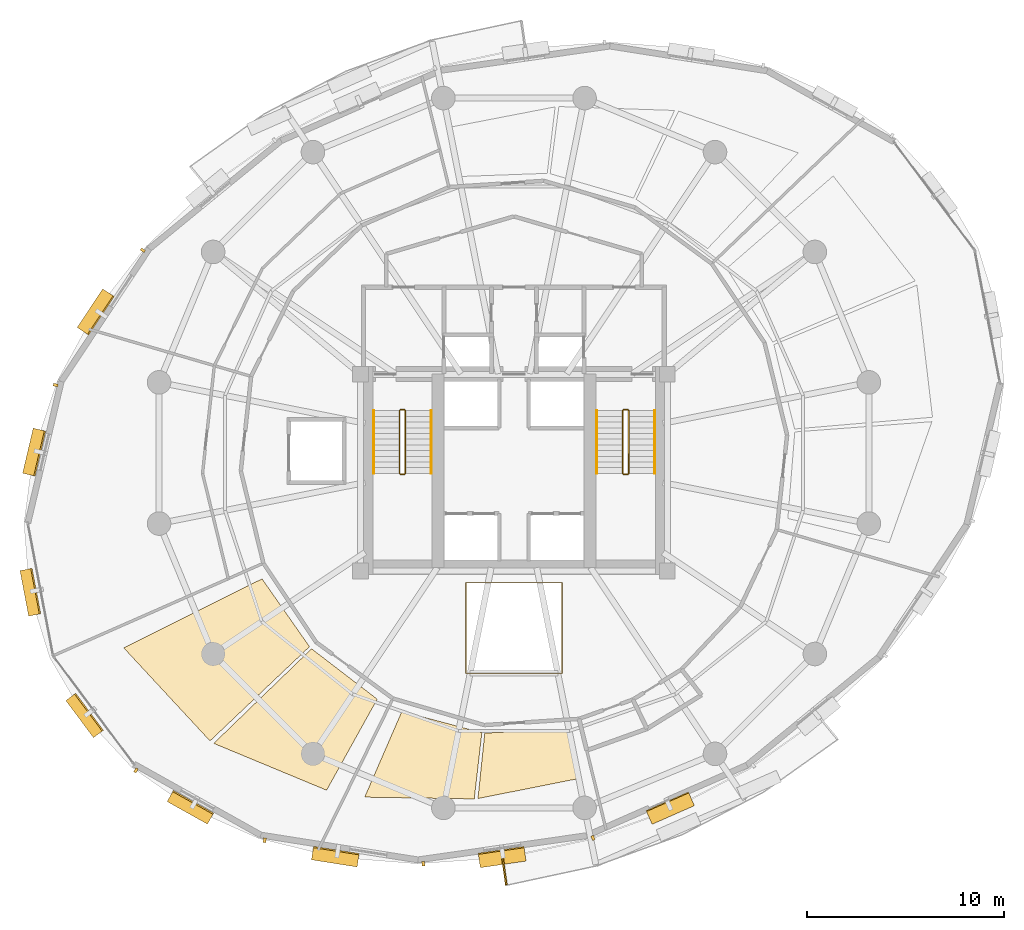
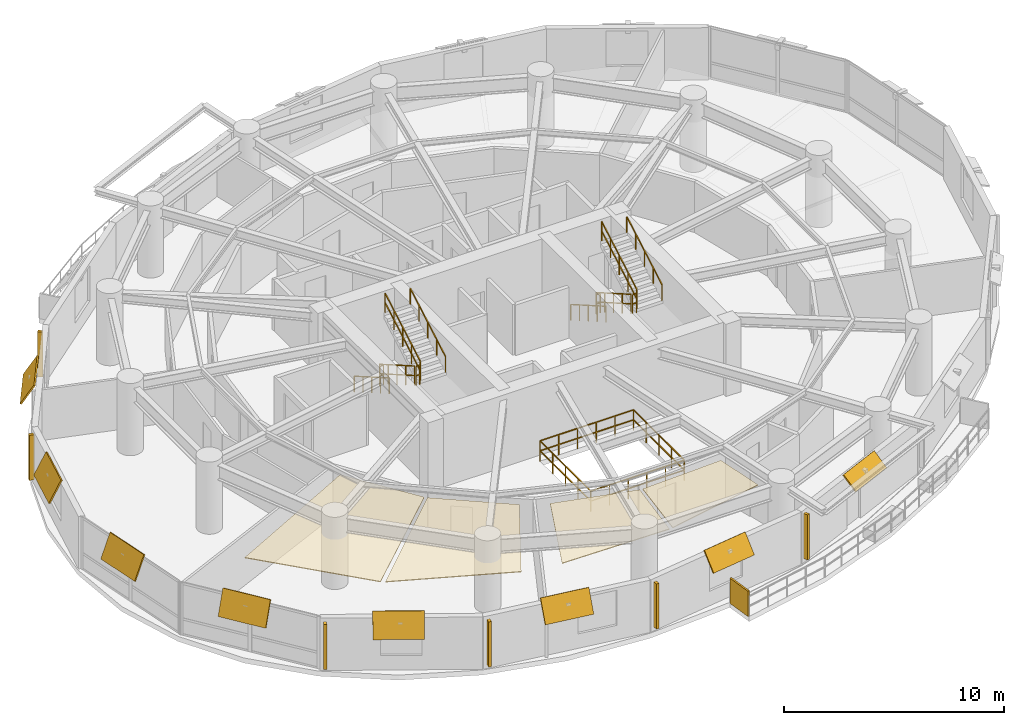
# One storey, part 13 of 14: 15 shading devices, 13 railings, 4 coverings.
"""IFC4 building model written with IfcOpenShell, lengths in metres."""

from ifc_helpers import new_model, si_unit, direction, frame, origin, origin_2d, place, context, subcontext, project, spatial, polyline, rectangle, outline, extrude, material, layer, layer_set, type_object, element, save


model = new_model("IFC4")

# Units and contexts
model_context = context("Model", 3, precision=1e-05, world=origin(), true_north=direction((0.0, 1.0)))
body_context = subcontext(model_context, "Body", "Model", "MODEL_VIEW")
ifc_project = project(units=[si_unit("LENGTHUNIT", "METRE"), si_unit("AREAUNIT", "SQUARE_METRE"), si_unit("VOLUMEUNIT", "CUBIC_METRE"), si_unit("PLANEANGLEUNIT", "RADIAN"), si_unit("MASSUNIT", "GRAM", prefix="KILO"), si_unit("THERMODYNAMICTEMPERATUREUNIT", "KELVIN"), si_unit("POWERUNIT", "WATT")], contexts=[model_context])

# Site, building, storey
site_placement = place(None, origin())
site = spatial("IfcSite", under=ifc_project, at=site_placement, CompositionType="ELEMENT")
building_placement = place(site_placement, origin())
building = spatial("IfcBuilding", under=site, at=building_placement, Name="Ocrelia Relay Tower", CompositionType="ELEMENT")
storey_placement = place(building_placement, frame((0.0, 0.0, 133.800048828125)))
storey = spatial("IfcBuildingStorey", under=building, at=storey_placement, Name="L31", CompositionType="ELEMENT", Elevation=133.800048828125)

# Coverings
ifc_material_1 = material(Name="Mineral-fiber acoustic ceiling tile", Category="gypsum")
ifc_layer_1 = layer(ifc_material_1, 0.0400390625, Name="Mineral-fiber acoustic ceiling tile")
ifc_layer_set_1 = layer_set([ifc_layer_1], Name="Mineral-fiber acoustic ceiling tile")
covering_type_1 = type_object("IfcCoveringType", Name="COV-CEIL-ACOUSTIC", PredefinedType="CEILING", material=ifc_layer_set_1)
covering_1_placement = place(storey_placement, frame((0.0, 0.0, 2.719970703125)))
element("IfcCovering", 1, at=covering_1_placement, inside=storey, type_object=covering_type_1, Name="L31 Carrier Operations Office Suspended Ceiling 1", PredefinedType="CEILING", context=body_context, shape_type="SweptSolid", body=[
    extrude(outline(polyline([(21.190185546875, 19.599365234375), (14.1591796875, 16.086181640625), (18.54296875, 11.357421875), (23.60400390625, 16.15185546875), (21.190185546875, 19.599365234375)])), origin(), (0.0, 0.0, 1.0), 0.0400390625),
])
covering_2_placement = place(storey_placement, frame((0.0, 0.0, 2.719970703125)))
element("IfcCovering", 2, at=covering_2_placement, inside=storey, type_object=covering_type_1, Name="L31 Carrier Operations Office Suspended Ceiling 2", PredefinedType="CEILING", context=body_context, shape_type="SweptSolid", body=[
    extrude(outline(polyline([(23.707763671875, 16.04345703125), (18.7333984375, 11.2314453125), (24.4736328125, 8.84912109375), (27.046630859375, 13.4814453125), (23.707763671875, 16.04345703125)])), origin(), (0.0, 0.0, 1.0), 0.0400390625),
])
ifc_material_2 = material(Name="Cleanroom metal-pan acoustic ceiling", Category="aluminium")
ifc_layer_2 = layer(ifc_material_2, 0.0400390625, Name="Cleanroom metal-pan acoustic ceiling")
ifc_layer_set_2 = layer_set([ifc_layer_2], Name="Cleanroom metal-pan acoustic ceiling")
covering_type_2 = type_object("IfcCoveringType", Name="COV-CEIL-CLEAN", PredefinedType="CEILING", material=ifc_layer_set_2)
covering_3_placement = place(storey_placement, frame((0.0, 0.0, 2.719970703125)))
element("IfcCovering", 3, at=covering_3_placement, inside=storey, type_object=covering_type_2, Name="L31 Optical Telemetry Studio Suspended Ceiling 1", PredefinedType="CEILING", context=body_context, shape_type="SweptSolid", body=[
    extrude(outline(polyline([(28.301513671875, 12.86279296875), (26.408203125, 8.498291015625), (31.980224609375, 8.40869140625), (32.366455078125, 11.7734375), (28.301513671875, 12.86279296875)])), origin(), (0.0, 0.0, 1.0), 0.0400390625),
])
covering_4_placement = place(storey_placement, frame((0.0, 0.0, 2.719970703125)))
element("IfcCovering", 4, at=covering_4_placement, inside=storey, type_object=covering_type_2, Name="L31 Optical Telemetry Studio Suspended Ceiling 2", PredefinedType="CEILING", context=body_context, shape_type="SweptSolid", body=[
    extrude(outline(polyline([(32.515625, 11.757080078125), (32.16845703125, 8.42724609375), (37.20654296875, 9.426513671875), (36.72021484375, 11.940673828125), (32.515625, 11.757080078125)])), origin(), (0.0, 0.0, 1.0), 0.0400390625),
])

# Railings
ifc_material_3 = material(Name="Steel S355 atrium balustrade", Category="steel")
railing_type_1 = type_object("IfcRailingType", Name="RL-INT-GUARD-115", PredefinedType="GUARDRAIL", material=ifc_material_3)
railing_1_placement = place(storey_placement, frame((31.550048828125, 14.800048828125, 0.0)))
element("IfcRailing", 5, at=railing_1_placement, inside=storey, type_object=railing_type_1, Name="L31 Multi-Zone Interior Atrium Guard", PredefinedType="GUARDRAIL", context=body_context, shape_type="SweptSolid", body=[
    extrude(rectangle(XDim=0.048095703125, YDim=0.048095703125, at=origin_2d()), frame((0.0, 0.0, 1.1259765625), z_axis=(1.0, 0.0, 0.0), x_axis=(0.0, 1.0, 0.0)), (0.0, 0.0, 1.0), 4.89990234375),
    extrude(rectangle(XDim=0.048095703125, YDim=0.048095703125, at=origin_2d()), frame((0.0, 0.0, 0.574951171875), z_axis=(1.0, 0.0, 0.0), x_axis=(0.0, 1.0, 0.0)), (0.0, 0.0, 1.0), 4.89990234375),
    extrude(rectangle(XDim=0.048095703125, YDim=0.048095703125, at=origin_2d()), frame((4.89990234375, 0.0, 1.1259765625), z_axis=(0.0, 1.0, 0.0), x_axis=(-1.0, 0.0, 0.0)), (0.0, 0.0, 1.0), 4.599853515625),
    extrude(rectangle(XDim=0.048095703125, YDim=0.048095703125, at=origin_2d()), frame((4.89990234375, 0.0, 0.574951171875), z_axis=(0.0, 1.0, 0.0), x_axis=(-1.0, 0.0, 0.0)), (0.0, 0.0, 1.0), 4.599853515625),
    extrude(rectangle(XDim=0.048095703125, YDim=0.048095703125, at=origin_2d()), frame((4.89990234375, 4.599853515625, 1.1259765625), z_axis=(-1.0, 0.0, 0.0), x_axis=(0.0, -1.0, 0.0)), (0.0, 0.0, 1.0), 4.89990234375),
    extrude(rectangle(XDim=0.048095703125, YDim=0.048095703125, at=origin_2d()), frame((4.89990234375, 4.599853515625, 0.574951171875), z_axis=(-1.0, 0.0, 0.0), x_axis=(0.0, -1.0, 0.0)), (0.0, 0.0, 1.0), 4.89990234375),
    extrude(rectangle(XDim=0.048095703125, YDim=0.048095703125, at=origin_2d()), frame((0.0, 4.599853515625, 1.1259765625), z_axis=(0.0, -1.0, 0.0), x_axis=(1.0, 0.0, 0.0)), (0.0, 0.0, 1.0), 4.599853515625),
    extrude(rectangle(XDim=0.048095703125, YDim=0.048095703125, at=origin_2d()), frame((0.0, 4.599853515625, 0.574951171875), z_axis=(0.0, -1.0, 0.0), x_axis=(1.0, 0.0, 0.0)), (0.0, 0.0, 1.0), 4.599853515625),
    extrude(rectangle(XDim=0.0419921875, YDim=0.0419921875, at=origin_2d()), origin(), (0.0, 0.0, 1.0), 1.101806640625),
    extrude(rectangle(XDim=0.0419921875, YDim=0.0419921875, at=origin_2d()), frame((0.97998046875, 0.0, 0.0)), (0.0, 0.0, 1.0), 1.101806640625),
    extrude(rectangle(XDim=0.0419921875, YDim=0.0419921875, at=origin_2d()), frame((1.9599609375, 0.0, 0.0)), (0.0, 0.0, 1.0), 1.101806640625),
    extrude(rectangle(XDim=0.0419921875, YDim=0.0419921875, at=origin_2d()), frame((2.93994140625, 0.0, 0.0)), (0.0, 0.0, 1.0), 1.101806640625),
    extrude(rectangle(XDim=0.0419921875, YDim=0.0419921875, at=origin_2d()), frame((3.919921875, 0.0, 0.0)), (0.0, 0.0, 1.0), 1.101806640625),
    extrude(rectangle(XDim=0.0419921875, YDim=0.0419921875, at=origin_2d()), frame((4.89990234375, 0.0, 0.0)), (0.0, 0.0, 1.0), 1.101806640625),
    extrude(rectangle(XDim=0.0419921875, YDim=0.0419921875, at=origin_2d()), frame((4.89990234375, 1.14990234375, 0.0)), (0.0, 0.0, 1.0), 1.101806640625),
    extrude(rectangle(XDim=0.0419921875, YDim=0.0419921875, at=origin_2d()), frame((4.89990234375, 2.2998046875, 0.0)), (0.0, 0.0, 1.0), 1.101806640625),
    extrude(rectangle(XDim=0.0419921875, YDim=0.0419921875, at=origin_2d()), frame((4.89990234375, 3.449951171875, 0.0)), (0.0, 0.0, 1.0), 1.101806640625),
    extrude(rectangle(XDim=0.0419921875, YDim=0.0419921875, at=origin_2d()), frame((4.89990234375, 4.599853515625, 0.0)), (0.0, 0.0, 1.0), 1.101806640625),
    extrude(rectangle(XDim=0.0419921875, YDim=0.0419921875, at=origin_2d()), frame((3.919921875, 4.599853515625, 0.0)), (0.0, 0.0, 1.0), 1.101806640625),
    extrude(rectangle(XDim=0.0419921875, YDim=0.0419921875, at=origin_2d()), frame((2.93994140625, 4.599853515625, 0.0)), (0.0, 0.0, 1.0), 1.101806640625),
    extrude(rectangle(XDim=0.0419921875, YDim=0.0419921875, at=origin_2d()), frame((1.9599609375, 4.599853515625, 0.0)), (0.0, 0.0, 1.0), 1.101806640625),
    extrude(rectangle(XDim=0.0419921875, YDim=0.0419921875, at=origin_2d()), frame((0.97998046875, 4.599853515625, 0.0)), (0.0, 0.0, 1.0), 1.101806640625),
    extrude(rectangle(XDim=0.0419921875, YDim=0.0419921875, at=origin_2d()), frame((0.0, 4.599853515625, 0.0)), (0.0, 0.0, 1.0), 1.101806640625),
    extrude(rectangle(XDim=0.0419921875, YDim=0.0419921875, at=origin_2d()), frame((0.0, 3.449951171875, 0.0)), (0.0, 0.0, 1.0), 1.101806640625),
    extrude(rectangle(XDim=0.0419921875, YDim=0.0419921875, at=origin_2d()), frame((0.0, 2.2998046875, 0.0)), (0.0, 0.0, 1.0), 1.101806640625),
    extrude(rectangle(XDim=0.0419921875, YDim=0.0419921875, at=origin_2d()), frame((0.0, 1.14990234375, 0.0)), (0.0, 0.0, 1.0), 1.101806640625),
])
ifc_material_4 = material(Name="Steel S355 balustrade", Category="steel")
railing_type_2 = type_object("IfcRailingType", Name="RL-STAIR-GUARD", PredefinedType="GUARDRAIL", material=ifc_material_4)
railing_2_placement = place(storey_placement, frame((28.179931640625, 28.14990234375, 0.16650390625)))
element("IfcRailing", 6, at=railing_2_placement, inside=storey, type_object=railing_type_2, Name="L31 ST1 stair guard 1", PredefinedType="GUARDRAIL", context=body_context, shape_type="SweptSolid", body=[
    extrude(rectangle(XDim=0.048095703125, YDim=0.048095703125, at=origin_2d()), frame((0.0, 0.0, 1.076171875), z_axis=(0.0, -0.86699087805, 0.498324008431), x_axis=(1.0, 0.0, 0.0)), (0.0, 0.0, 1.0), 3.679443359375),
    extrude(rectangle(XDim=0.048095703125, YDim=0.048095703125, at=origin_2d()), frame((0.0, 0.0, 0.550048828125), z_axis=(0.0, -0.86699087805, 0.498324008431), x_axis=(1.0, 0.0, 0.0)), (0.0, 0.0, 1.0), 3.679443359375),
    extrude(rectangle(XDim=0.0419921875, YDim=0.0419921875, at=origin_2d()), origin(), (0.0, 0.0, 1.0), 1.052001953125),
    extrude(rectangle(XDim=0.0419921875, YDim=0.0419921875, at=origin_2d()), frame((0.0, -0.79736328125, 0.45849609375)), (0.0, 0.0, 1.0), 1.052001953125),
    extrude(rectangle(XDim=0.0419921875, YDim=0.0419921875, at=origin_2d()), frame((0.0, -1.594970703125, 0.916748046875)), (0.0, 0.0, 1.0), 1.052001953125),
    extrude(rectangle(XDim=0.0419921875, YDim=0.0419921875, at=origin_2d()), frame((0.0, -2.392578125, 1.375)), (0.0, 0.0, 1.0), 1.052001953125),
    extrude(rectangle(XDim=0.0419921875, YDim=0.0419921875, at=origin_2d()), frame((0.0, -3.18994140625, 1.83349609375)), (0.0, 0.0, 1.0), 1.052001953125),
])
railing_3_placement = place(storey_placement, frame((28.22998046875, 24.909912109375, 2.0)))
element("IfcRailing", 7, at=railing_3_placement, inside=storey, type_object=railing_type_2, Name="L31 ST1 stair guard 2", PredefinedType="GUARDRAIL", context=body_context, shape_type="SweptSolid", body=[
    extrude(rectangle(XDim=0.048095703125, YDim=0.048095703125, at=origin_2d()), frame((0.0, 0.0, 1.076171875), z_axis=(1.0, 0.0, 0.0), x_axis=(0.0, 1.0, 0.0)), (0.0, 0.0, 1.0), 0.199951171875),
    extrude(rectangle(XDim=0.048095703125, YDim=0.048095703125, at=origin_2d()), frame((0.0, 0.0, 0.550048828125), z_axis=(1.0, 0.0, 0.0), x_axis=(0.0, 1.0, 0.0)), (0.0, 0.0, 1.0), 0.199951171875),
    extrude(rectangle(XDim=0.0419921875, YDim=0.0419921875, at=origin_2d()), origin(), (0.0, 0.0, 1.0), 1.052001953125),
    extrude(rectangle(XDim=0.0419921875, YDim=0.0419921875, at=origin_2d()), frame((0.199951171875, 0.0, 0.0)), (0.0, 0.0, 1.0), 1.052001953125),
])
railing_4_placement = place(storey_placement, frame((28.47998046875, 24.9599609375, 2.16650390625)))
element("IfcRailing", 8, at=railing_4_placement, inside=storey, type_object=railing_type_2, Name="L31 ST1 stair guard 3", PredefinedType="GUARDRAIL", context=body_context, shape_type="SweptSolid", body=[
    extrude(rectangle(XDim=0.048095703125, YDim=0.048095703125, at=origin_2d()), frame((0.0, 0.0, 1.076171875), z_axis=(0.0, 0.86699087805, 0.498324008431), x_axis=(-1.0, 0.0, 0.0)), (0.0, 0.0, 1.0), 3.679443359375),
    extrude(rectangle(XDim=0.048095703125, YDim=0.048095703125, at=origin_2d()), frame((0.0, 0.0, 0.550048828125), z_axis=(0.0, 0.86699087805, 0.498324008431), x_axis=(-1.0, 0.0, 0.0)), (0.0, 0.0, 1.0), 3.679443359375),
    extrude(rectangle(XDim=0.0419921875, YDim=0.0419921875, at=origin_2d()), origin(), (0.0, 0.0, 1.0), 1.052001953125),
    extrude(rectangle(XDim=0.0419921875, YDim=0.0419921875, at=origin_2d()), frame((0.0, 0.79736328125, 0.45849609375)), (0.0, 0.0, 1.0), 1.052001953125),
    extrude(rectangle(XDim=0.0419921875, YDim=0.0419921875, at=origin_2d()), frame((0.0, 1.594970703125, 0.916748046875)), (0.0, 0.0, 1.0), 1.052001953125),
    extrude(rectangle(XDim=0.0419921875, YDim=0.0419921875, at=origin_2d()), frame((0.0, 2.392578125, 1.375)), (0.0, 0.0, 1.0), 1.052001953125),
    extrude(rectangle(XDim=0.0419921875, YDim=0.0419921875, at=origin_2d()), frame((0.0, 3.18994140625, 1.83349609375)), (0.0, 0.0, 1.0), 1.052001953125),
])
railing_5_placement = place(storey_placement, frame((28.22998046875, 28.199951171875, 0.0)))
element("IfcRailing", 9, at=railing_5_placement, inside=storey, type_object=railing_type_2, Name="L31 ST1 stair guard 4", PredefinedType="GUARDRAIL", context=body_context, shape_type="SweptSolid", body=[
    extrude(rectangle(XDim=0.048095703125, YDim=0.048095703125, at=origin_2d()), frame((0.0, 0.0, 1.076171875), z_axis=(1.0, 0.0, 0.0), x_axis=(0.0, 1.0, 0.0)), (0.0, 0.0, 1.0), 0.199951171875),
    extrude(rectangle(XDim=0.048095703125, YDim=0.048095703125, at=origin_2d()), frame((0.0, 0.0, 0.550048828125), z_axis=(1.0, 0.0, 0.0), x_axis=(0.0, 1.0, 0.0)), (0.0, 0.0, 1.0), 0.199951171875),
    extrude(rectangle(XDim=0.0419921875, YDim=0.0419921875, at=origin_2d()), origin(), (0.0, 0.0, 1.0), 1.052001953125),
    extrude(rectangle(XDim=0.0419921875, YDim=0.0419921875, at=origin_2d()), frame((0.199951171875, 0.0, 0.0)), (0.0, 0.0, 1.0), 1.052001953125),
])
railing_6_placement = place(storey_placement, frame((39.530029296875, 28.14990234375, 0.16650390625)))
element("IfcRailing", 10, at=railing_6_placement, inside=storey, type_object=railing_type_2, Name="L31 ST2 stair guard 1", PredefinedType="GUARDRAIL", context=body_context, shape_type="SweptSolid", body=[
    extrude(rectangle(XDim=0.048095703125, YDim=0.048095703125, at=origin_2d()), frame((0.0, 0.0, 1.076171875), z_axis=(0.0, -0.86699087805, 0.498324008431), x_axis=(1.0, 0.0, 0.0)), (0.0, 0.0, 1.0), 3.679443359375),
    extrude(rectangle(XDim=0.048095703125, YDim=0.048095703125, at=origin_2d()), frame((0.0, 0.0, 0.550048828125), z_axis=(0.0, -0.86699087805, 0.498324008431), x_axis=(1.0, 0.0, 0.0)), (0.0, 0.0, 1.0), 3.679443359375),
    extrude(rectangle(XDim=0.0419921875, YDim=0.0419921875, at=origin_2d()), origin(), (0.0, 0.0, 1.0), 1.052001953125),
    extrude(rectangle(XDim=0.0419921875, YDim=0.0419921875, at=origin_2d()), frame((0.0, -0.79736328125, 0.45849609375)), (0.0, 0.0, 1.0), 1.052001953125),
    extrude(rectangle(XDim=0.0419921875, YDim=0.0419921875, at=origin_2d()), frame((0.0, -1.594970703125, 0.916748046875)), (0.0, 0.0, 1.0), 1.052001953125),
    extrude(rectangle(XDim=0.0419921875, YDim=0.0419921875, at=origin_2d()), frame((0.0, -2.392578125, 1.375)), (0.0, 0.0, 1.0), 1.052001953125),
    extrude(rectangle(XDim=0.0419921875, YDim=0.0419921875, at=origin_2d()), frame((0.0, -3.18994140625, 1.83349609375)), (0.0, 0.0, 1.0), 1.052001953125),
])
railing_7_placement = place(storey_placement, frame((39.580078125, 24.909912109375, 2.0)))
element("IfcRailing", 11, at=railing_7_placement, inside=storey, type_object=railing_type_2, Name="L31 ST2 stair guard 2", PredefinedType="GUARDRAIL", context=body_context, shape_type="SweptSolid", body=[
    extrude(rectangle(XDim=0.048095703125, YDim=0.048095703125, at=origin_2d()), frame((0.0, 0.0, 1.076171875), z_axis=(1.0, 0.0, 0.0), x_axis=(0.0, 1.0, 0.0)), (0.0, 0.0, 1.0), 0.199951171875),
    extrude(rectangle(XDim=0.048095703125, YDim=0.048095703125, at=origin_2d()), frame((0.0, 0.0, 0.550048828125), z_axis=(1.0, 0.0, 0.0), x_axis=(0.0, 1.0, 0.0)), (0.0, 0.0, 1.0), 0.199951171875),
    extrude(rectangle(XDim=0.0419921875, YDim=0.0419921875, at=origin_2d()), origin(), (0.0, 0.0, 1.0), 1.052001953125),
    extrude(rectangle(XDim=0.0419921875, YDim=0.0419921875, at=origin_2d()), frame((0.199951171875, 0.0, 0.0)), (0.0, 0.0, 1.0), 1.052001953125),
])
railing_8_placement = place(storey_placement, frame((39.830078125, 24.9599609375, 2.16650390625)))
element("IfcRailing", 12, at=railing_8_placement, inside=storey, type_object=railing_type_2, Name="L31 ST2 stair guard 3", PredefinedType="GUARDRAIL", context=body_context, shape_type="SweptSolid", body=[
    extrude(rectangle(XDim=0.048095703125, YDim=0.048095703125, at=origin_2d()), frame((0.0, 0.0, 1.076171875), z_axis=(0.0, 0.86699087805, 0.498324008431), x_axis=(-1.0, 0.0, 0.0)), (0.0, 0.0, 1.0), 3.679443359375),
    extrude(rectangle(XDim=0.048095703125, YDim=0.048095703125, at=origin_2d()), frame((0.0, 0.0, 0.550048828125), z_axis=(0.0, 0.86699087805, 0.498324008431), x_axis=(-1.0, 0.0, 0.0)), (0.0, 0.0, 1.0), 3.679443359375),
    extrude(rectangle(XDim=0.0419921875, YDim=0.0419921875, at=origin_2d()), origin(), (0.0, 0.0, 1.0), 1.052001953125),
    extrude(rectangle(XDim=0.0419921875, YDim=0.0419921875, at=origin_2d()), frame((0.0, 0.79736328125, 0.45849609375)), (0.0, 0.0, 1.0), 1.052001953125),
    extrude(rectangle(XDim=0.0419921875, YDim=0.0419921875, at=origin_2d()), frame((0.0, 1.594970703125, 0.916748046875)), (0.0, 0.0, 1.0), 1.052001953125),
    extrude(rectangle(XDim=0.0419921875, YDim=0.0419921875, at=origin_2d()), frame((0.0, 2.392578125, 1.375)), (0.0, 0.0, 1.0), 1.052001953125),
    extrude(rectangle(XDim=0.0419921875, YDim=0.0419921875, at=origin_2d()), frame((0.0, 3.18994140625, 1.83349609375)), (0.0, 0.0, 1.0), 1.052001953125),
])
railing_9_placement = place(storey_placement, frame((39.580078125, 28.199951171875, 0.0)))
element("IfcRailing", 13, at=railing_9_placement, inside=storey, type_object=railing_type_2, Name="L31 ST2 stair guard 4", PredefinedType="GUARDRAIL", context=body_context, shape_type="SweptSolid", body=[
    extrude(rectangle(XDim=0.048095703125, YDim=0.048095703125, at=origin_2d()), frame((0.0, 0.0, 1.076171875), z_axis=(1.0, 0.0, 0.0), x_axis=(0.0, 1.0, 0.0)), (0.0, 0.0, 1.0), 0.199951171875),
    extrude(rectangle(XDim=0.048095703125, YDim=0.048095703125, at=origin_2d()), frame((0.0, 0.0, 0.550048828125), z_axis=(1.0, 0.0, 0.0), x_axis=(0.0, 1.0, 0.0)), (0.0, 0.0, 1.0), 0.199951171875),
    extrude(rectangle(XDim=0.0419921875, YDim=0.0419921875, at=origin_2d()), origin(), (0.0, 0.0, 1.0), 1.052001953125),
    extrude(rectangle(XDim=0.0419921875, YDim=0.0419921875, at=origin_2d()), frame((0.199951171875, 0.0, 0.0)), (0.0, 0.0, 1.0), 1.052001953125),
])
ifc_material_5 = material(Name="Steel S355 tubular handrail", Category="steel")
railing_type_3 = type_object("IfcRailingType", Name="RL-STAIR-HAND", PredefinedType="HANDRAIL", material=ifc_material_5)
railing_10_placement = place(storey_placement, frame((26.860107421875, 28.14990234375, 0.16650390625)))
element("IfcRailing", 14, at=railing_10_placement, inside=storey, type_object=railing_type_3, Name="L31 ST1 stair handrail 1", PredefinedType="HANDRAIL", context=body_context, shape_type="SweptSolid", body=[
    extrude(rectangle(XDim=0.048095703125, YDim=0.048095703125, at=origin_2d()), frame((0.0, 0.0, 0.8759765625), z_axis=(0.0, -0.86699087805, 0.498324008431), x_axis=(1.0, 0.0, 0.0)), (0.0, 0.0, 1.0), 3.679443359375),
    extrude(rectangle(XDim=0.0419921875, YDim=0.0419921875, at=origin_2d()), origin(), (0.0, 0.0, 1.0), 0.851806640625),
    extrude(rectangle(XDim=0.0419921875, YDim=0.0419921875, at=origin_2d()), frame((0.0, -0.79736328125, 0.45849609375)), (0.0, 0.0, 1.0), 0.851806640625),
    extrude(rectangle(XDim=0.0419921875, YDim=0.0419921875, at=origin_2d()), frame((0.0, -1.594970703125, 0.916748046875)), (0.0, 0.0, 1.0), 0.851806640625),
    extrude(rectangle(XDim=0.0419921875, YDim=0.0419921875, at=origin_2d()), frame((0.0, -2.392578125, 1.375)), (0.0, 0.0, 1.0), 0.851806640625),
    extrude(rectangle(XDim=0.0419921875, YDim=0.0419921875, at=origin_2d()), frame((0.0, -3.18994140625, 1.83349609375)), (0.0, 0.0, 1.0), 0.851806640625),
])
railing_11_placement = place(storey_placement, frame((29.800048828125, 24.9599609375, 2.16650390625)))
element("IfcRailing", 15, at=railing_11_placement, inside=storey, type_object=railing_type_3, Name="L31 ST1 stair handrail 2", PredefinedType="HANDRAIL", context=body_context, shape_type="SweptSolid", body=[
    extrude(rectangle(XDim=0.048095703125, YDim=0.048095703125, at=origin_2d()), frame((0.0, 0.0, 0.8759765625), z_axis=(0.0, 0.86699087805, 0.498324008431), x_axis=(-1.0, 0.0, 0.0)), (0.0, 0.0, 1.0), 3.679443359375),
    extrude(rectangle(XDim=0.0419921875, YDim=0.0419921875, at=origin_2d()), origin(), (0.0, 0.0, 1.0), 0.851806640625),
    extrude(rectangle(XDim=0.0419921875, YDim=0.0419921875, at=origin_2d()), frame((0.0, 0.79736328125, 0.45849609375)), (0.0, 0.0, 1.0), 0.851806640625),
    extrude(rectangle(XDim=0.0419921875, YDim=0.0419921875, at=origin_2d()), frame((0.0, 1.594970703125, 0.916748046875)), (0.0, 0.0, 1.0), 0.851806640625),
    extrude(rectangle(XDim=0.0419921875, YDim=0.0419921875, at=origin_2d()), frame((0.0, 2.392578125, 1.375)), (0.0, 0.0, 1.0), 0.851806640625),
    extrude(rectangle(XDim=0.0419921875, YDim=0.0419921875, at=origin_2d()), frame((0.0, 3.18994140625, 1.83349609375)), (0.0, 0.0, 1.0), 0.851806640625),
])
railing_12_placement = place(storey_placement, frame((38.2099609375, 28.14990234375, 0.16650390625)))
element("IfcRailing", 16, at=railing_12_placement, inside=storey, type_object=railing_type_3, Name="L31 ST2 stair handrail 1", PredefinedType="HANDRAIL", context=body_context, shape_type="SweptSolid", body=[
    extrude(rectangle(XDim=0.048095703125, YDim=0.048095703125, at=origin_2d()), frame((0.0, 0.0, 0.8759765625), z_axis=(0.0, -0.86699087805, 0.498324008431), x_axis=(1.0, 0.0, 0.0)), (0.0, 0.0, 1.0), 3.679443359375),
    extrude(rectangle(XDim=0.0419921875, YDim=0.0419921875, at=origin_2d()), origin(), (0.0, 0.0, 1.0), 0.851806640625),
    extrude(rectangle(XDim=0.0419921875, YDim=0.0419921875, at=origin_2d()), frame((0.0, -0.79736328125, 0.45849609375)), (0.0, 0.0, 1.0), 0.851806640625),
    extrude(rectangle(XDim=0.0419921875, YDim=0.0419921875, at=origin_2d()), frame((0.0, -1.594970703125, 0.916748046875)), (0.0, 0.0, 1.0), 0.851806640625),
    extrude(rectangle(XDim=0.0419921875, YDim=0.0419921875, at=origin_2d()), frame((0.0, -2.392578125, 1.375)), (0.0, 0.0, 1.0), 0.851806640625),
    extrude(rectangle(XDim=0.0419921875, YDim=0.0419921875, at=origin_2d()), frame((0.0, -3.18994140625, 1.83349609375)), (0.0, 0.0, 1.0), 0.851806640625),
])
railing_13_placement = place(storey_placement, frame((41.14990234375, 24.9599609375, 2.16650390625)))
element("IfcRailing", 17, at=railing_13_placement, inside=storey, type_object=railing_type_3, Name="L31 ST2 stair handrail 2", PredefinedType="HANDRAIL", context=body_context, shape_type="SweptSolid", body=[
    extrude(rectangle(XDim=0.048095703125, YDim=0.048095703125, at=origin_2d()), frame((0.0, 0.0, 0.8759765625), z_axis=(0.0, 0.86699087805, 0.498324008431), x_axis=(-1.0, 0.0, 0.0)), (0.0, 0.0, 1.0), 3.679443359375),
    extrude(rectangle(XDim=0.0419921875, YDim=0.0419921875, at=origin_2d()), origin(), (0.0, 0.0, 1.0), 0.851806640625),
    extrude(rectangle(XDim=0.0419921875, YDim=0.0419921875, at=origin_2d()), frame((0.0, 0.79736328125, 0.45849609375)), (0.0, 0.0, 1.0), 0.851806640625),
    extrude(rectangle(XDim=0.0419921875, YDim=0.0419921875, at=origin_2d()), frame((0.0, 1.594970703125, 0.916748046875)), (0.0, 0.0, 1.0), 0.851806640625),
    extrude(rectangle(XDim=0.0419921875, YDim=0.0419921875, at=origin_2d()), frame((0.0, 2.392578125, 1.375)), (0.0, 0.0, 1.0), 0.851806640625),
    extrude(rectangle(XDim=0.0419921875, YDim=0.0419921875, at=origin_2d()), frame((0.0, 3.18994140625, 1.83349609375)), (0.0, 0.0, 1.0), 0.851806640625),
])

# Shading devices
ifc_material_6 = material(Name="Perforated oxide terracotta solar screen", Category="masonry")
ifc_layer_3 = layer(ifc_material_6, 0.090087890625, Name="Perforated oxide terracotta solar screen")
ifc_layer_set_3 = layer_set([ifc_layer_3], Name="Perforated oxide terracotta solar screen")
shading_device_type_1 = type_object("IfcShadingDeviceType", Name="SH-BALC-SCREEN", PredefinedType="USERDEFINED", material=ifc_layer_set_3)
shading_device_1_placement = place(storey_placement, frame((33.51904296875, 4.6962890625, 0.0), z_axis=(0.0, 0.0, 1.0), x_axis=(0.140878775889, -0.990026853426, 0.0)))
element("IfcShadingDevice", 18, at=shading_device_1_placement, inside=storey, type_object=shading_device_type_1, Name="L31 Balcony Perforated Terracotta Screen B2-1", ObjectType="SCREEN", PredefinedType="USERDEFINED", context=body_context, shape_type="SweptSolid", body=[
    extrude(rectangle(XDim=1.340087890625, YDim=0.090087890625, at=origin_2d()), origin(), (0.0, 0.0, 1.0), 1.39990234375),
])
ifc_material_7 = material(Name="Extruded oxide terracotta vertical baguette", Category="masonry")
shading_device_type_2 = type_object("IfcShadingDeviceType", Name="SH-TERR-BAGUETTE", PredefinedType="USERDEFINED", material=ifc_material_7)
for number, where, z_axis, x_axis, name in (
    (19, (15.12353515625, 36.308349609375, 0.199951171875), (0.0, 0.0, 1.0), (-0.552406115768, -0.833575121547, 0.0), "L31 Oxide Terracotta Vertical Baguette 07"),
    (20, (10.697021484375, 29.45263671875, 0.199951171875), (0.0, 0.0, 1.0), (-0.229533778971, -0.973300695731, 0.0), "L31 Oxide Terracotta Vertical Baguette 08"),
    (21, (14.778076171875, 9.857666015625, 0.199951171875), (0.0, 0.0, 1.0), (0.872663947085, -0.488321242071, 0.0), "L31 Oxide Terracotta Vertical Baguette 11"),
    (22, (21.3251953125, 6.3056640625, 0.199951171875), (0.0, 0.0, 1.0), (0.987775482141, -0.155883279675, 0.0), "L31 Oxide Terracotta Vertical Baguette 12"),
    (23, (29.390625, 5.11474609375, 0.199951171875), (0.0, 0.0, 1.0), (0.989829456122, 0.142259086855, 0.0), "L31 Oxide Terracotta Vertical Baguette 13"),
    (24, (38.017333984375, 6.42822265625, 0.199951171875), (0.0, 0.0, 1.0), (0.915312212944, 0.402745022111, 0.0), "L31 Oxide Terracotta Vertical Baguette 14"),
):
    element("IfcShadingDevice", number, at=place(storey_placement, frame(where, z_axis=z_axis, x_axis=x_axis)), inside=storey, type_object=shading_device_type_2, Name=name, ObjectType="BAGUETTE", PredefinedType="USERDEFINED", context=body_context, shape_type="SweptSolid", body=[
        extrude(rectangle(XDim=0.139892578125, YDim=0.239990234375, at=origin_2d()), origin(), (0.0, 0.0, 1.0), 2.5),
    ])
ifc_material_8 = material(Name="Extruded oxide terracotta fin", Category="masonry")
ifc_layer_4 = layer(ifc_material_8, 0.080078125, Name="Extruded oxide terracotta fin")
ifc_layer_set_4 = layer_set([ifc_layer_4], Name="Extruded oxide terracotta fin")
shading_device_type_3 = type_object("IfcShadingDeviceType", Name="SH-VISOR-FIN-DEEP", PredefinedType="USERDEFINED", material=ifc_layer_set_4)
shading_device_2_placement = place(storey_placement, frame((12.760009765625, 33.150390625, 2.719482421875), z_axis=(-0.717270865775, 0.47533185993, 0.509492029423), x_axis=(-0.552406115768, -0.833575121547, 0.0)))
element("IfcShadingDevice", 25, at=shading_device_2_placement, inside=storey, type_object=shading_device_type_3, Name="L31 Canted Terracotta Sun-Visor Fin 07", ObjectType="FIN", PredefinedType="USERDEFINED", context=body_context, shape_type="SweptSolid", body=[
    extrude(rectangle(XDim=2.35009765625, YDim=1.239990234375, at=origin_2d()), origin(), (0.0, 0.0, 1.0), 0.080078125),
])
shading_device_3_placement = place(storey_placement, frame((9.63623046875, 26.032958984375, 2.72216796875), z_axis=(-0.872776544309, 0.205827139846, 0.442601730913), x_axis=(-0.229533778971, -0.973300695731, 0.0)))
element("IfcShadingDevice", 26, at=shading_device_3_placement, inside=storey, type_object=shading_device_type_3, Name="L31 Canted Terracotta Sun-Visor Fin 08", ObjectType="FIN", PredefinedType="USERDEFINED", context=body_context, shape_type="SweptSolid", body=[
    extrude(rectangle(XDim=2.35009765625, YDim=1.31201171875, at=origin_2d()), origin(), (0.0, 0.0, 1.0), 0.080078125),
])
shading_device_4_placement = place(storey_placement, frame((9.44482421875, 18.927001953125, 2.7236328125), z_axis=(-0.895388840029, -0.170486529513, 0.411355282458), x_axis=(0.187044640292, -0.982351414993, 0.0)))
element("IfcShadingDevice", 27, at=shading_device_4_placement, inside=storey, type_object=shading_device_type_3, Name="L31 Canted Terracotta Sun-Visor Fin 09", ObjectType="FIN", PredefinedType="USERDEFINED", context=body_context, shape_type="SweptSolid", body=[
    extrude(rectangle(XDim=2.35009765625, YDim=1.344970703125, at=origin_2d()), origin(), (0.0, 0.0, 1.0), 0.080078125),
])
shading_device_5_placement = place(storey_placement, frame((12.195556640625, 12.67431640625, 2.7236328125), z_axis=(-0.731416818943, -0.545568157332, 0.409126902895), x_axis=(0.597897658661, -0.801572448234, 0.0)))
element("IfcShadingDevice", 28, at=shading_device_5_placement, inside=storey, type_object=shading_device_type_3, Name="L31 Canted Terracotta Sun-Visor Fin 10", ObjectType="FIN", PredefinedType="USERDEFINED", context=body_context, shape_type="SweptSolid", body=[
    extrude(rectangle(XDim=2.35009765625, YDim=1.346923828125, at=origin_2d()), origin(), (0.0, 0.0, 1.0), 0.080078125),
])
shading_device_6_placement = place(storey_placement, frame((17.563232421875, 8.013427734375, 2.72265625), z_axis=(-0.439496297845, -0.785410383501, 0.435859534333), x_axis=(0.872663947085, -0.488321242071, 0.0)))
element("IfcShadingDevice", 29, at=shading_device_6_placement, inside=storey, type_object=shading_device_type_3, Name="L31 Canted Terracotta Sun-Visor Fin 11", ObjectType="FIN", PredefinedType="USERDEFINED", context=body_context, shape_type="SweptSolid", body=[
    extrude(rectangle(XDim=2.35009765625, YDim=1.319091796875, at=origin_2d()), origin(), (0.0, 0.0, 1.0), 0.080078125),
])
shading_device_7_placement = place(storey_placement, frame((24.921142578125, 5.5068359375, 2.719970703125), z_axis=(-0.135107575654, -0.856127424062, 0.498790313429), x_axis=(0.987775482141, -0.155883279675, 0.0)))
element("IfcShadingDevice", 30, at=shading_device_7_placement, inside=storey, type_object=shading_device_type_3, Name="L31 Canted Terracotta Sun-Visor Fin 12", ObjectType="FIN", PredefinedType="USERDEFINED", context=body_context, shape_type="SweptSolid", body=[
    extrude(rectangle(XDim=2.35009765625, YDim=1.2509765625, at=origin_2d()), origin(), (0.0, 0.0, 1.0), 0.080078125),
])
ifc_layer_5 = layer(ifc_material_8, 0.080078125, Name="Extruded oxide terracotta fin")
ifc_layer_set_5 = layer_set([ifc_layer_5], Name="Extruded oxide terracotta fin")
shading_device_type_4 = type_object("IfcShadingDeviceType", Name="SH-VISOR-FIN-MED", PredefinedType="USERDEFINED", material=ifc_layer_set_5)
shading_device_8_placement = place(storey_placement, frame((33.39404296875, 5.48046875, 2.7158203125), z_axis=(0.113268568677, -0.788115319787, 0.605016094056), x_axis=(0.989829456122, 0.142259086855, 0.0)))
element("IfcShadingDevice", 31, at=shading_device_8_placement, inside=storey, type_object=shading_device_type_4, Name="L31 Canted Terracotta Sun-Visor Fin 13", ObjectType="FIN", PredefinedType="USERDEFINED", context=body_context, shape_type="SweptSolid", body=[
    extrude(rectangle(XDim=2.35009765625, YDim=1.1298828125, at=origin_2d()), origin(), (0.0, 0.0, 1.0), 0.080078125),
])
shading_device_9_placement = place(storey_placement, frame((41.935546875, 7.96484375, 2.71044921875), z_axis=(0.272194226316, -0.61861149353, 0.737041466427), x_axis=(0.915312212944, 0.402745022111, 0.0)))
element("IfcShadingDevice", 32, at=shading_device_9_placement, inside=storey, type_object=shading_device_type_4, Name="L31 Canted Terracotta Sun-Visor Fin 14", ObjectType="FIN", PredefinedType="USERDEFINED", context=body_context, shape_type="SweptSolid", body=[
    extrude(rectangle(XDim=2.35009765625, YDim=0.958984375, at=origin_2d()), origin(), (0.0, 0.0, 1.0), 0.080078125),
])

save(model, "model.ifc")
